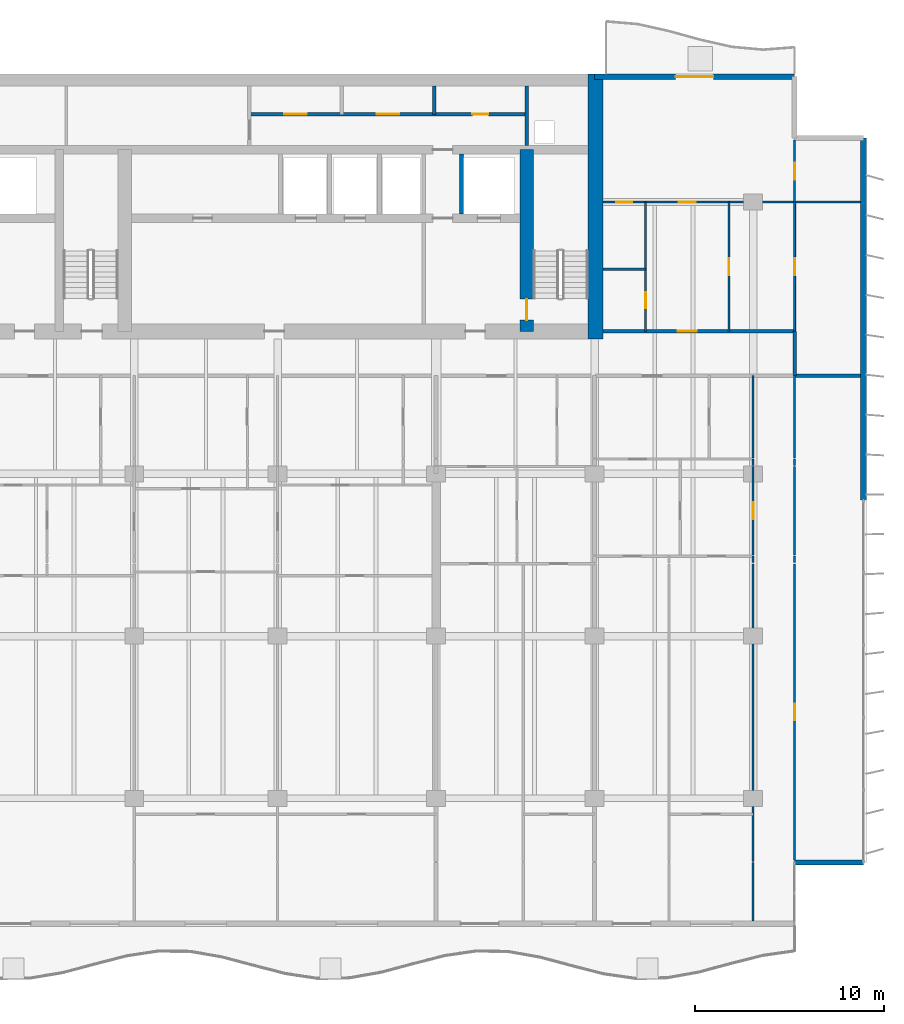
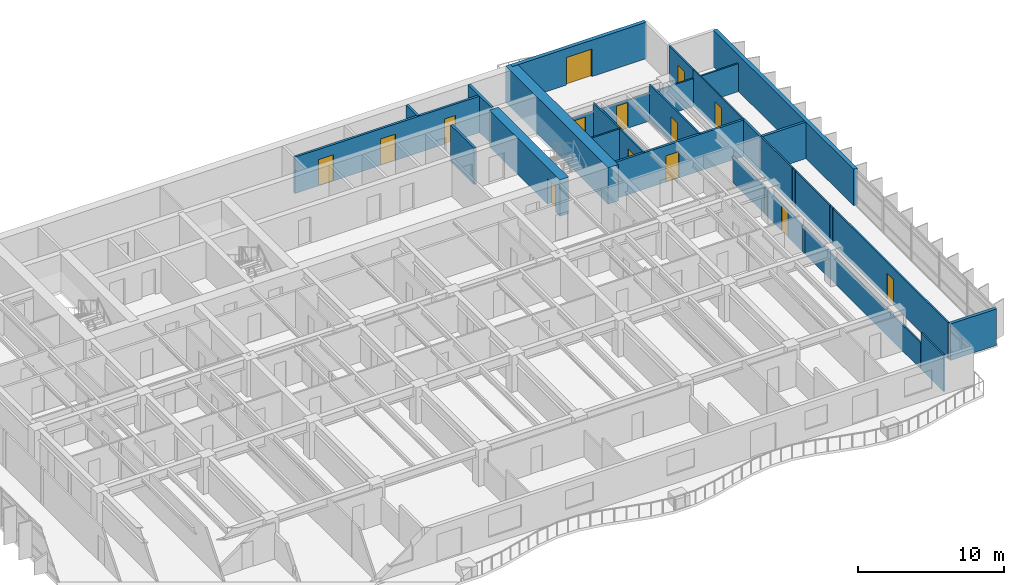
# One storey, part 11 of 16: 29 walls, 14 doors, 14 openings.
"""IFC4 building model written with IfcOpenShell, lengths in metres."""

from ifc_helpers import new_model, si_unit, direction, frame, frame_2d, origin, place, context, subcontext, project, spatial, rectangle, extrude, material, layer, layer_set, type_object, element, fill, save


model = new_model("IFC4")

# Units and contexts
model_context = context("Model", 3, precision=1e-05, world=origin(), true_north=direction((0.0, 1.0)))
body_context = subcontext(model_context, "Body", "Model", "MODEL_VIEW")
ifc_project = project(units=[si_unit("LENGTHUNIT", "METRE"), si_unit("AREAUNIT", "SQUARE_METRE"), si_unit("VOLUMEUNIT", "CUBIC_METRE"), si_unit("PLANEANGLEUNIT", "RADIAN"), si_unit("MASSUNIT", "GRAM", prefix="KILO")], contexts=[model_context])

# Site, building, storey
site_placement = place(None, origin())
site = spatial("IfcSite", under=ifc_project, at=site_placement, CompositionType="ELEMENT")
building_placement = place(site_placement, origin())
building = spatial("IfcBuilding", under=site, at=building_placement, Name="Caelmar Bay Residences", CompositionType="ELEMENT")
storey_placement = place(building_placement, frame((0.0, 0.0, 102.60009765625)))
storey = spatial("IfcBuildingStorey", under=building, at=storey_placement, Name="L27", CompositionType="ELEMENT", Elevation=102.60009765625)

# Wall, opening, door
ifc_material_1 = material(Name="Concrete f'c 55 MPa (8,000 psi)", Category="concrete")
ifc_layer_1 = layer(ifc_material_1, 0.699951171875)
ifc_layer_set_1 = layer_set([ifc_layer_1], Name="Concrete f'c 55 MPa (8,000 psi)")
wall_type_1 = type_object("IfcWallType", Name="SW-COR-700", PredefinedType="SHEAR", material=ifc_layer_set_1)
wall_1_placement = place(storey_placement, frame((55.89990234375, 36.949951171875, 0.0), z_axis=(0.0, 0.0, 1.0), x_axis=(0.0, 1.0, 0.0)))
wall_1 = element("IfcWall", 1, at=wall_1_placement, inside=storey, type_object=wall_type_1, Name="L27 Core Structural Web Wall ST2W", PredefinedType="SHEAR", context=body_context, shape_type="SweptSolid", body=[
    extrude(rectangle(XDim=9.625, YDim=0.699951171875, at=frame_2d((4.8125, 0.0))), origin(), (0.0, 0.0, 1.0), 3.0498046875),
])
opening_1_placement = place(wall_1_placement, frame((0.60009765625, 0.0, 0.0)))
opening_1 = element("IfcOpeningElement", 2, at=opening_1_placement, cuts=wall_1, Name="Opening D-L27-110", PredefinedType="OPENING", context=body_context, shape_type="SweptSolid", body=[
    extrude(rectangle(XDim=1.10009765625, YDim=2.14990234375, at=frame_2d((0.550048828125, 1.074951171875))), frame((0.0, 0.35986328125, 0.0), z_axis=(0.0, -1.0, 0.0), x_axis=(1.0, 0.0, 0.0)), (0.0, 0.0, 1.0), 0.719970703125),
])
ifc_material_2 = material(Name="Fire-rated steel and walnut architectural door assembly", Category="steel")
ifc_layer_2 = layer(ifc_material_2, 0.050048828125)
ifc_layer_set_2 = layer_set([ifc_layer_2], Name="Fire-rated steel and walnut architectural door assembly")
door_type_1 = type_object("IfcDoorType", Name="D-STAIR-1100", OperationType="NOTDEFINED", PredefinedType="DOOR", material=ifc_layer_set_2)
door_1_placement = place(opening_1_placement, origin())
door_1 = element("IfcDoor", 3, at=door_1_placement, inside=storey, type_object=door_type_1, Name="L27 Firefighting Lobby East Door", OperationType="SINGLE_SWING_LEFT", OverallHeight=2.14990234375, OverallWidth=1.10009765625, PredefinedType="DOOR", context=body_context, shape_type="SweptSolid", body=[
    extrude(rectangle(XDim=1.10009765625, YDim=2.14990234375, at=frame_2d((0.550048828125, 1.074951171875))), frame((0.0, 0.02490234375, 0.0), z_axis=(0.0, -1.0, 0.0), x_axis=(1.0, 0.0, 0.0)), (0.0, 0.0, 1.0), 0.050048828125),
])
fill(opening_1, door_1)

# Walls
ifc_material_3 = material(Name="Concrete f'c 70 MPa (10,000 psi)", Category="concrete")
ifc_layer_3 = layer(ifc_material_3, 0.800048828125)
ifc_layer_set_3 = layer_set([ifc_layer_3], Name="Concrete f'c 70 MPa (10,000 psi)")
wall_type_2 = type_object("IfcWallType", Name="SW-COR-800", PredefinedType="SHEAR", material=ifc_layer_set_3)
wall_2_placement = place(storey_placement, frame((59.550048828125, 36.550048828125, 0.0), z_axis=(0.0, 0.0, 1.0), x_axis=(0.0, 1.0, 0.0)))
element("IfcWall", 4, at=wall_2_placement, inside=storey, type_object=wall_type_2, Name="L27 Rear Core East Shear Wall", PredefinedType="SHEAR", context=body_context, shape_type="SweptSolid", body=[
    extrude(rectangle(XDim=14.050048828125, YDim=0.800048828125, at=frame_2d((7.02490234375, 0.0))), origin(), (0.0, 0.0, 1.0), 3.0498046875),
])
ifc_material_4 = material(Name="Double-stud acoustic fire-rated gypsum partition 180 mm")
ifc_layer_4 = layer(ifc_material_4, 0.179931640625)
ifc_layer_set_4 = layer_set([ifc_layer_4], Name="Double-stud acoustic fire-rated gypsum partition 180 mm")
wall_type_3 = type_object("IfcWallType", Name="W-COR-200", PredefinedType="PARTITIONING", material=ifc_layer_set_4)
wall_3_placement = place(storey_placement, frame((51.0, 48.449951171875, 0.0), z_axis=(0.0, 0.0, 1.0), x_axis=(0.0, 1.0, 0.0)))
element("IfcWall", 5, at=wall_3_placement, inside=storey, type_object=wall_type_3, Name="L27 Partition Wall V076", PredefinedType="PARTITIONING", context=body_context, shape_type="SweptSolid", body=[
    extrude(rectangle(XDim=1.505126953125, YDim=0.179931640625, at=frame_2d((0.75244140625, 0.0))), origin(), (0.0, 0.0, 1.0), 3.0498046875),
])
wall_4_placement = place(storey_placement, frame((70.10009765625, 34.60498046875, 0.0), z_axis=(0.0, 0.0, 1.0), x_axis=(0.0, 1.0, 0.0)))
element("IfcWall", 6, at=wall_4_placement, inside=storey, type_object=wall_type_3, Name="L27 Partition Wall V115", PredefinedType="PARTITIONING", context=body_context, shape_type="SweptSolid", body=[
    extrude(rectangle(XDim=2.344970703125, YDim=0.179931640625, at=frame_2d((1.17236328125, 0.0))), origin(), (0.0, 0.0, 1.0), 3.0498046875),
])

# Wall, opening, door
wall_5_placement = place(storey_placement, frame((59.955078125, 36.949951171875, 0.0), z_axis=(0.0, 0.0, 1.0), x_axis=(1.0, 0.0, 0.0)))
wall_5 = element("IfcWall", 7, at=wall_5_placement, inside=storey, type_object=wall_type_3, Name="L27 Partition Wall H143", PredefinedType="PARTITIONING", context=body_context, shape_type="SweptSolid", body=[
    extrude(rectangle(XDim=10.14501953125, YDim=0.179931640625, at=frame_2d((5.072509765625, 0.0))), origin(), (0.0, 0.0, 1.0), 3.0498046875),
])
opening_2_placement = place(wall_5_placement, frame((3.95703125, 0.0, 0.0)))
opening_2 = element("IfcOpeningElement", 8, at=opening_2_placement, cuts=wall_5, Name="Opening D-L27-176", PredefinedType="OPENING", context=body_context, shape_type="SweptSolid", body=[
    extrude(rectangle(XDim=1.0, YDim=2.199951171875, at=frame_2d((0.5, 1.10009765625))), frame((0.0, 0.099853515625, 0.0), z_axis=(0.0, -1.0, 0.0), x_axis=(1.0, 0.0, 0.0)), (0.0, 0.0, 1.0), 0.199951171875),
])
ifc_layer_5 = layer(ifc_material_2, 0.050048828125)
ifc_layer_set_5 = layer_set([ifc_layer_5], Name="Fire-rated steel and walnut architectural door assembly")
door_type_2 = type_object("IfcDoorType", Name="D-UNIT-1000", OperationType="NOTDEFINED", PredefinedType="DOOR", material=ifc_layer_set_5)
door_2_placement = place(opening_2_placement, origin())
door_2 = element("IfcDoor", 9, at=door_2_placement, inside=storey, type_object=door_type_2, Name="L27 Residence EA Kitchen Door", OperationType="SINGLE_SWING_LEFT", OverallHeight=2.199951171875, OverallWidth=1.0, PredefinedType="DOOR", context=body_context, shape_type="SweptSolid", body=[
    extrude(rectangle(XDim=1.0, YDim=2.199951171875, at=frame_2d((0.5, 1.10009765625))), frame((0.0, 0.02490234375, 0.0), z_axis=(0.0, -1.0, 0.0), x_axis=(1.0, 0.0, 0.0)), (0.0, 0.0, 1.0), 0.050048828125),
])
fill(opening_2, door_2)

# Wall, openings, doors
wall_6_placement = place(storey_placement, frame((41.199951171875, 48.449951171875, 0.0), z_axis=(0.0, 0.0, 1.0), x_axis=(1.0, 0.0, 0.0)))
wall_6 = element("IfcWall", 10, at=wall_6_placement, inside=storey, type_object=wall_type_3, Name="L27 Partition Wall H148", PredefinedType="PARTITIONING", context=body_context, shape_type="SweptSolid", body=[
    extrude(rectangle(XDim=14.699951171875, YDim=0.179931640625, at=frame_2d((7.35009765625, 0.0))), origin(), (0.0, 0.0, 1.0), 3.0498046875),
])
opening_3_placement = place(wall_6_placement, frame((1.85009765625, 0.0, 0.0)))
opening_3 = element("IfcOpeningElement", 11, at=opening_3_placement, cuts=wall_6, Name="Opening D-L27-118", PredefinedType="OPENING", context=body_context, shape_type="SweptSolid", body=[
    extrude(rectangle(XDim=1.199951171875, YDim=2.199951171875, at=frame_2d((0.60009765625, 1.10009765625))), frame((0.0, 0.099853515625, 0.0), z_axis=(0.0, -1.0, 0.0), x_axis=(1.0, 0.0, 0.0)), (0.0, 0.0, 1.0), 0.199951171875),
])
opening_4_placement = place(wall_6_placement, frame((6.75, 0.0, 0.0)))
opening_4 = element("IfcOpeningElement", 12, at=opening_4_placement, cuts=wall_6, Name="Opening D-L27-119", PredefinedType="OPENING", context=body_context, shape_type="SweptSolid", body=[
    extrude(rectangle(XDim=1.199951171875, YDim=2.199951171875, at=frame_2d((0.60009765625, 1.10009765625))), frame((0.0, 0.099853515625, 0.0), z_axis=(0.0, -1.0, 0.0), x_axis=(1.0, 0.0, 0.0)), (0.0, 0.0, 1.0), 0.199951171875),
])
opening_5_placement = place(wall_6_placement, frame((11.824951171875, 0.0, 0.0)))
opening_5 = element("IfcOpeningElement", 13, at=opening_5_placement, cuts=wall_6, Name="Opening D-L27-120", PredefinedType="OPENING", context=body_context, shape_type="SweptSolid", body=[
    extrude(rectangle(XDim=0.85009765625, YDim=2.10009765625, at=frame_2d((0.425048828125, 1.050048828125))), frame((0.0, 0.099853515625, 0.0), z_axis=(0.0, -1.0, 0.0), x_axis=(1.0, 0.0, 0.0)), (0.0, 0.0, 1.0), 0.199951171875),
])
ifc_layer_6 = layer(ifc_material_2, 0.050048828125)
ifc_layer_set_6 = layer_set([ifc_layer_6], Name="Fire-rated steel and walnut architectural door assembly")
door_type_3 = type_object("IfcDoorType", Name="D-CORE-850", OperationType="NOTDEFINED", PredefinedType="DOOR", material=ifc_layer_set_6)
door_3_placement = place(opening_5_placement, origin())
door_3 = element("IfcDoor", 14, at=door_3_placement, inside=storey, type_object=door_type_3, Name="L27 Accessible Staff WC Door", OperationType="SINGLE_SWING_LEFT", OverallHeight=2.10009765625, OverallWidth=0.85009765625, PredefinedType="DOOR", context=body_context, shape_type="SweptSolid", body=[
    extrude(rectangle(XDim=0.85009765625, YDim=2.10009765625, at=frame_2d((0.425048828125, 1.050048828125))), frame((0.0, 0.02490234375, 0.0), z_axis=(0.0, -1.0, 0.0), x_axis=(1.0, 0.0, 0.0)), (0.0, 0.0, 1.0), 0.050048828125),
])
fill(opening_5, door_3)
ifc_layer_7 = layer(ifc_material_2, 0.050048828125)
ifc_layer_set_7 = layer_set([ifc_layer_7], Name="Fire-rated steel and walnut architectural door assembly")
door_type_4 = type_object("IfcDoorType", Name="D-PLANT-1200", OperationType="NOTDEFINED", PredefinedType="DOOR", material=ifc_layer_set_7)
door_4_placement = place(opening_3_placement, origin())
door_4 = element("IfcDoor", 15, at=door_4_placement, inside=storey, type_object=door_type_4, Name="L27 Electrical Closet Door", OperationType="SINGLE_SWING_LEFT", OverallHeight=2.199951171875, OverallWidth=1.199951171875, PredefinedType="DOOR", context=body_context, shape_type="SweptSolid", body=[
    extrude(rectangle(XDim=1.199951171875, YDim=2.199951171875, at=frame_2d((0.60009765625, 1.10009765625))), frame((0.0, 0.02490234375, 0.0), z_axis=(0.0, -1.0, 0.0), x_axis=(1.0, 0.0, 0.0)), (0.0, 0.0, 1.0), 0.050048828125),
])
fill(opening_3, door_4)
door_5_placement = place(opening_4_placement, origin())
door_5 = element("IfcDoor", 16, at=door_5_placement, inside=storey, type_object=door_type_4, Name="L27 Housekeeping Linen Closet Door", OperationType="SINGLE_SWING_RIGHT", OverallHeight=2.199951171875, OverallWidth=1.199951171875, PredefinedType="DOOR", context=body_context, shape_type="SweptSolid", body=[
    extrude(rectangle(XDim=1.199951171875, YDim=2.199951171875, at=frame_2d((0.60009765625, 1.10009765625))), frame((0.0, 0.02490234375, 0.0), z_axis=(0.0, -1.0, 0.0), x_axis=(1.0, 0.0, 0.0)), (0.0, 0.0, 1.0), 0.050048828125),
])
fill(opening_4, door_5)

# Walls
ifc_material_5 = material(Name="Precast concrete f'c 40 MPa (6,000 psi)", Category="concrete")
ifc_layer_8 = layer(ifc_material_5, 0.25)
ifc_layer_set_8 = layer_set([ifc_layer_8], Name="Precast concrete f'c 40 MPa (6,000 psi)")
wall_type_4 = type_object("IfcWallType", Name="W-EXT-250", PredefinedType="ELEMENTEDWALL", material=ifc_layer_set_8)
wall_7_placement = place(storey_placement, frame((70.10009765625, 8.800048828125, 0.0), z_axis=(0.0, 0.0, 1.0), x_axis=(1.0, 0.0, 0.0)))
element("IfcWall", 17, at=wall_7_placement, inside=storey, type_object=wall_type_4, Name="L27 SE Notch Return Wall", PredefinedType="ELEMENTEDWALL", context=body_context, shape_type="SweptSolid", body=[
    extrude(rectangle(XDim=3.64990234375, YDim=0.25, at=frame_2d((1.824951171875, 0.0))), origin(), (0.0, 0.0, 1.0), 3.0498046875),
])
ifc_layer_9 = layer(ifc_material_5, 0.300048828125)
ifc_layer_set_9 = layer_set([ifc_layer_9], Name="Precast concrete f'c 40 MPa (6,000 psi)")
wall_type_5 = type_object("IfcWallType", Name="W-EXT-300", PredefinedType="STANDARD", material=ifc_layer_set_9)
wall_8_placement = place(storey_placement, frame((73.75, 47.199951171875, 0.0), z_axis=(0.0, 0.0, 1.0), x_axis=(0.0, -1.0, 0.0)))
element("IfcWall", 18, at=wall_8_placement, inside=storey, type_object=wall_type_5, Name="L27 East Rear Exterior Wall", PredefinedType="STANDARD", context=body_context, shape_type="SweptSolid", body=[
    extrude(rectangle(XDim=19.199951171875, YDim=0.300048828125, at=frame_2d((9.60009765625, 0.0))), origin(), (0.0, 0.0, 1.0), 3.0498046875),
])

# Wall, opening, door
wall_9_placement = place(storey_placement, frame((59.5, 50.449951171875, 0.0), z_axis=(0.0, 0.0, 1.0), x_axis=(1.0, 0.0, 0.0)))
wall_9 = element("IfcWall", 19, at=wall_9_placement, inside=storey, type_object=wall_type_5, Name="L27 North-East Wing Exterior Wall", PredefinedType="STANDARD", context=body_context, shape_type="SweptSolid", body=[
    extrude(rectangle(XDim=10.60009765625, YDim=0.300048828125, at=frame_2d((5.300048828125, 0.0))), origin(), (0.0, 0.0, 1.0), 3.0498046875),
])
opening_6_placement = place(wall_9_placement, frame((4.300048828125, 0.0, 0.0)))
opening_6 = element("IfcOpeningElement", 20, at=opening_6_placement, cuts=wall_9, Name="Opening L27-BDNE", PredefinedType="OPENING", context=body_context, shape_type="SweptSolid", body=[
    extrude(rectangle(XDim=2.0, YDim=2.300048828125, at=frame_2d((1.0, 1.14990234375))), frame((0.0, 0.159912109375, 0.0), z_axis=(0.0, -1.0, 0.0), x_axis=(1.0, 0.0, 0.0)), (0.0, 0.0, 1.0), 0.320068359375),
])
ifc_material_6 = material(Name="Anodised bronze thermally broken sliding glass door", Category="glass")
ifc_layer_10 = layer(ifc_material_6, 0.050048828125)
ifc_layer_set_10 = layer_set([ifc_layer_10], Name="Anodised bronze thermally broken sliding glass door")
door_type_5 = type_object("IfcDoorType", Name="D-BAL-2000", OperationType="DOUBLE_DOOR_SLIDING", PredefinedType="DOOR", material=ifc_layer_set_10)
door_6_placement = place(opening_6_placement, origin())
door_6 = element("IfcDoor", 21, at=door_6_placement, inside=storey, type_object=door_type_5, Name="L27 North-East Balcony Door", OperationType="DOUBLE_DOOR_SLIDING", OverallHeight=2.300048828125, OverallWidth=2.0, PredefinedType="DOOR", context=body_context, shape_type="SweptSolid", body=[
    extrude(rectangle(XDim=2.0, YDim=2.300048828125, at=frame_2d((1.0, 1.14990234375))), frame((0.0, 0.02490234375, 0.0), z_axis=(0.0, -1.0, 0.0), x_axis=(1.0, 0.0, 0.0)), (0.0, 0.0, 1.0), 0.050048828125),
])
fill(opening_6, door_6)

# Walls
ifc_material_7 = material(Name="Fire-rated masonry and gypsum shaftliner assembly 200 mm", Category="masonry")
ifc_layer_11 = layer(ifc_material_7, 0.199951171875)
ifc_layer_set_11 = layer_set([ifc_layer_11], Name="Fire-rated masonry and gypsum shaftliner assembly 200 mm")
wall_type_6 = type_object("IfcWallType", Name="W-FSAE-200", PredefinedType="PARTITIONING", material=ifc_layer_set_11)
wall_10_placement = place(storey_placement, frame((52.449951171875, 43.169921875, 0.0), z_axis=(0.0, 0.0, 1.0), x_axis=(0.0, 1.0, 0.0)))
element("IfcWall", 22, at=wall_10_placement, inside=storey, type_object=wall_type_6, Name="L27 Partition Wall V082", PredefinedType="PARTITIONING", context=body_context, shape_type="SweptSolid", body=[
    extrude(rectangle(XDim=3.18505859375, YDim=0.199951171875, at=frame_2d((1.592529296875, 0.0))), origin(), (0.0, 0.0, 1.0), 3.0498046875),
])
wall_11_placement = place(storey_placement, frame((55.89990234375, 46.794921875, 0.0), z_axis=(0.0, 0.0, 1.0), x_axis=(0.0, 1.0, 0.0)))
element("IfcWall", 23, at=wall_11_placement, inside=storey, type_object=wall_type_6, Name="L27 Partition Wall V087", PredefinedType="PARTITIONING", context=body_context, shape_type="SweptSolid", body=[
    extrude(rectangle(XDim=3.16015625, YDim=0.199951171875, at=frame_2d((1.580078125, 0.0))), origin(), (0.0, 0.0, 1.0), 3.0498046875),
])

# Wall, opening, door
ifc_material_8 = material(Name="Anodised bronze framed acoustic sliding study partition 100 mm")
ifc_layer_12 = layer(ifc_material_8, 0.10009765625)
ifc_layer_set_12 = layer_set([ifc_layer_12], Name="Anodised bronze framed acoustic sliding study partition 100 mm")
wall_type_7 = type_object("IfcWallType", Name="W-MOV-100", PredefinedType="MOVABLE", material=ifc_layer_set_12)
wall_12_placement = place(storey_placement, frame((70.10009765625, 36.955078125, 0.0), z_axis=(0.0, 0.0, 1.0), x_axis=(0.0, 1.0, 0.0)))
wall_12 = element("IfcWall", 24, at=wall_12_placement, inside=storey, type_object=wall_type_7, Name="L27 Partition Wall V116", PredefinedType="MOVABLE", context=body_context, shape_type="SweptSolid", body=[
    extrude(rectangle(XDim=6.844970703125, YDim=0.10009765625, at=frame_2d((3.42236328125, 0.0))), origin(), (0.0, 0.0, 1.0), 3.0498046875),
])
opening_7_placement = place(wall_12_placement, frame((2.972412109375, 0.0, 0.0)))
opening_7 = element("IfcOpeningElement", 25, at=opening_7_placement, cuts=wall_12, Name="Opening D-L27-180", PredefinedType="OPENING", context=body_context, shape_type="SweptSolid", body=[
    extrude(rectangle(XDim=0.89990234375, YDim=2.14990234375, at=frame_2d((0.449951171875, 1.074951171875))), frame((0.0, 0.06005859375, 0.0), z_axis=(0.0, -1.0, 0.0), x_axis=(1.0, 0.0, 0.0)), (0.0, 0.0, 1.0), 0.1201171875),
])
ifc_material_9 = material(Name="Solid walnut timber interior door leaf and frame", Category="wood")
ifc_layer_13 = layer(ifc_material_9, 0.050048828125)
ifc_layer_set_13 = layer_set([ifc_layer_13], Name="Solid walnut timber interior door leaf and frame")
door_type_6 = type_object("IfcDoorType", Name="D-ROOM-900", OperationType="NOTDEFINED", PredefinedType="DOOR", material=ifc_layer_set_13)
door_7_placement = place(opening_7_placement, origin())
door_7 = element("IfcDoor", 26, at=door_7_placement, inside=storey, type_object=door_type_6, Name="L27 Residence EA Sun Study Door", OperationType="SINGLE_SWING_LEFT", OverallHeight=2.14990234375, OverallWidth=0.89990234375, PredefinedType="DOOR", context=body_context, shape_type="SweptSolid", body=[
    extrude(rectangle(XDim=0.89990234375, YDim=2.14990234375, at=frame_2d((0.449951171875, 1.074951171875))), frame((0.0, 0.02490234375, 0.0), z_axis=(0.0, -1.0, 0.0), x_axis=(1.0, 0.0, 0.0)), (0.0, 0.0, 1.0), 0.050048828125),
])
fill(opening_7, door_7)

ifc_material_10 = material(Name="Acoustic metal-stud gypsum partition 120 mm")
ifc_layer_14 = layer(ifc_material_10, 0.1201171875)
ifc_layer_set_14 = layer_set([ifc_layer_14], Name="Acoustic metal-stud gypsum partition 120 mm")
wall_type_8 = type_object("IfcWallType", Name="W-PRT-120", PredefinedType="PARTITIONING", material=ifc_layer_set_14)
wall_13_placement = place(storey_placement, frame((62.199951171875, 36.949951171875, 0.0), z_axis=(0.0, 0.0, 1.0), x_axis=(0.0, 1.0, 0.0)))
wall_13 = element("IfcWall", 27, at=wall_13_placement, inside=storey, type_object=wall_type_8, Name="L27 Partition Wall V096", PredefinedType="PARTITIONING", context=body_context, shape_type="SweptSolid", body=[
    extrude(rectangle(XDim=6.85009765625, YDim=0.1201171875, at=frame_2d((3.425048828125, 0.0))), origin(), (0.0, 0.0, 1.0), 3.0498046875),
])
opening_8_placement = place(wall_13_placement, frame((1.218994140625, 0.0, 0.0)))
opening_8 = element("IfcOpeningElement", 28, at=opening_8_placement, cuts=wall_13, Name="Opening D-L27-178", PredefinedType="OPENING", context=body_context, shape_type="SweptSolid", body=[
    extrude(rectangle(XDim=0.85009765625, YDim=2.10009765625, at=frame_2d((0.425048828125, 1.050048828125))), frame((0.0, 0.070068359375, 0.0), z_axis=(0.0, -1.0, 0.0), x_axis=(1.0, 0.0, 0.0)), (0.0, 0.0, 1.0), 0.14013671875),
])
ifc_layer_15 = layer(ifc_material_9, 0.050048828125)
ifc_layer_set_15 = layer_set([ifc_layer_15], Name="Solid walnut timber interior door leaf and frame")
door_type_7 = type_object("IfcDoorType", Name="D-BATH-850", OperationType="NOTDEFINED", PredefinedType="DOOR", material=ifc_layer_set_15)
door_8_placement = place(opening_8_placement, origin())
door_8 = element("IfcDoor", 29, at=door_8_placement, inside=storey, type_object=door_type_7, Name="L27 Residence EA Walk-In Closet Door", OperationType="SINGLE_SWING_LEFT", OverallHeight=2.10009765625, OverallWidth=0.85009765625, PredefinedType="DOOR", context=body_context, shape_type="SweptSolid", body=[
    extrude(rectangle(XDim=0.85009765625, YDim=2.10009765625, at=frame_2d((0.425048828125, 1.050048828125))), frame((0.0, 0.02490234375, 0.0), z_axis=(0.0, -1.0, 0.0), x_axis=(1.0, 0.0, 0.0)), (0.0, 0.0, 1.0), 0.050048828125),
])
fill(opening_8, door_8)

wall_14_placement = place(storey_placement, frame((66.6240234375, 36.949951171875, 0.0), z_axis=(0.0, 0.0, 1.0), x_axis=(0.0, 1.0, 0.0)))
wall_14 = element("IfcWall", 30, at=wall_14_placement, inside=storey, type_object=wall_type_8, Name="L27 Partition Wall V103", PredefinedType="PARTITIONING", context=body_context, shape_type="SweptSolid", body=[
    extrude(rectangle(XDim=6.85009765625, YDim=0.1201171875, at=frame_2d((3.425048828125, 0.0))), origin(), (0.0, 0.0, 1.0), 3.0498046875),
])
opening_9_placement = place(wall_14_placement, frame((2.97509765625, 0.0, 0.0)))
opening_9 = element("IfcOpeningElement", 31, at=opening_9_placement, cuts=wall_14, Name="Opening D-L27-175", PredefinedType="OPENING", context=body_context, shape_type="SweptSolid", body=[
    extrude(rectangle(XDim=0.89990234375, YDim=2.14990234375, at=frame_2d((0.449951171875, 1.074951171875))), frame((0.0, 0.070068359375, 0.0), z_axis=(0.0, -1.0, 0.0), x_axis=(1.0, 0.0, 0.0)), (0.0, 0.0, 1.0), 0.14013671875),
])
door_9_placement = place(opening_9_placement, origin())
door_9 = element("IfcDoor", 32, at=door_9_placement, inside=storey, type_object=door_type_6, Name="L27 Residence EA Dining Room Door", OperationType="SINGLE_SWING_RIGHT", OverallHeight=2.14990234375, OverallWidth=0.89990234375, PredefinedType="DOOR", context=body_context, shape_type="SweptSolid", body=[
    extrude(rectangle(XDim=0.89990234375, YDim=2.14990234375, at=frame_2d((0.449951171875, 1.074951171875))), frame((0.0, 0.02490234375, 0.0), z_axis=(0.0, -1.0, 0.0), x_axis=(1.0, 0.0, 0.0)), (0.0, 0.0, 1.0), 0.050048828125),
])
fill(opening_9, door_9)

# Walls
wall_15_placement = place(storey_placement, frame((67.89990234375, 5.695068359375, 0.0), z_axis=(0.0, 0.0, 1.0), x_axis=(0.0, 1.0, 0.0)))
element("IfcWall", 33, at=wall_15_placement, inside=storey, type_object=wall_type_8, Name="L27 Partition Wall V104", PredefinedType="PARTITIONING", context=body_context, shape_type="SweptSolid", body=[
    extrude(rectangle(XDim=3.10498046875, YDim=0.1201171875, at=frame_2d((1.552490234375, 0.0))), origin(), (0.0, 0.0, 1.0), 3.0498046875),
])
wall_16_placement = place(storey_placement, frame((67.89990234375, 8.840087890625, 0.0), z_axis=(0.0, 0.0, 1.0), x_axis=(0.0, 1.0, 0.0)))
element("IfcWall", 34, at=wall_16_placement, inside=storey, type_object=wall_type_8, Name="L27 Partition Wall V105", PredefinedType="PARTITIONING", context=body_context, shape_type="SweptSolid", body=[
    extrude(rectangle(XDim=15.789794921875, YDim=0.1201171875, at=frame_2d((7.89501953125, 0.0))), origin(), (0.0, 0.0, 1.0), 2.173828125),
])
wall_17_placement = place(storey_placement, frame((67.89990234375, 24.68994140625, 0.0), z_axis=(0.0, 0.0, 1.0), x_axis=(0.0, 1.0, 0.0)))
element("IfcWall", 35, at=wall_17_placement, inside=storey, type_object=wall_type_8, Name="L27 Partition Wall V106", PredefinedType="PARTITIONING", context=body_context, shape_type="SweptSolid", body=[
    extrude(rectangle(XDim=0.340087890625, YDim=0.1201171875, at=frame_2d((0.169921875, 0.0))), origin(), (0.0, 0.0, 1.0), 2.173828125),
])

# Wall, opening, door
wall_18_placement = place(storey_placement, frame((67.89990234375, 25.090087890625, 0.0), z_axis=(0.0, 0.0, 1.0), x_axis=(0.0, 1.0, 0.0)))
wall_18 = element("IfcWall", 36, at=wall_18_placement, inside=storey, type_object=wall_type_8, Name="L27 Partition Wall V107", PredefinedType="PARTITIONING", context=body_context, shape_type="SweptSolid", body=[
    extrude(rectangle(XDim=4.68994140625, YDim=0.1201171875, at=frame_2d((2.344970703125, 0.0))), origin(), (0.0, 0.0, 1.0), 2.173828125),
])
opening_10_placement = place(wall_18_placement, frame((1.89501953125, 0.0, 0.0)))
opening_10 = element("IfcOpeningElement", 37, at=opening_10_placement, cuts=wall_18, Name="Opening D-L27-165", PredefinedType="OPENING", context=body_context, shape_type="SweptSolid", body=[
    extrude(rectangle(XDim=0.89990234375, YDim=2.1240234375, at=frame_2d((0.449951171875, 1.06201171875))), frame((0.0, 0.070068359375, 0.0), z_axis=(0.0, -1.0, 0.0), x_axis=(1.0, 0.0, 0.0)), (0.0, 0.0, 1.0), 0.14013671875),
])
door_10_placement = place(opening_10_placement, origin())
door_10 = element("IfcDoor", 38, at=door_10_placement, inside=storey, type_object=door_type_6, Name="L27 Residence 05 East Apartment Hall Door", OperationType="SINGLE_SWING_RIGHT", OverallHeight=2.1240234375, OverallWidth=0.89990234375, PredefinedType="DOOR", context=body_context, shape_type="SweptSolid", body=[
    extrude(rectangle(XDim=0.89990234375, YDim=2.1240234375, at=frame_2d((0.449951171875, 1.06201171875))), frame((0.0, 0.02490234375, 0.0), z_axis=(0.0, -1.0, 0.0), x_axis=(1.0, 0.0, 0.0)), (0.0, 0.0, 1.0), 0.050048828125),
])
fill(opening_10, door_10)

# Walls
wall_19_placement = place(storey_placement, frame((67.89990234375, 29.840087890625, 0.0), z_axis=(0.0, 0.0, 1.0), x_axis=(0.0, 1.0, 0.0)))
element("IfcWall", 39, at=wall_19_placement, inside=storey, type_object=wall_type_8, Name="L27 Partition Wall V108", PredefinedType="PARTITIONING", context=body_context, shape_type="SweptSolid", body=[
    extrude(rectangle(XDim=0.33984375, YDim=0.1201171875, at=frame_2d((0.169921875, 0.0))), origin(), (0.0, 0.0, 1.0), 2.173828125),
])
wall_20_placement = place(storey_placement, frame((67.89990234375, 30.239990234375, 0.0), z_axis=(0.0, 0.0, 1.0), x_axis=(0.0, 1.0, 0.0)))
element("IfcWall", 40, at=wall_20_placement, inside=storey, type_object=wall_type_8, Name="L27 Partition Wall V109", PredefinedType="PARTITIONING", context=body_context, shape_type="SweptSolid", body=[
    extrude(rectangle(XDim=4.360107421875, YDim=0.1201171875, at=frame_2d((2.18017578125, 0.0))), origin(), (0.0, 0.0, 1.0), 2.173828125),
])

# Wall, opening, door
wall_21_placement = place(storey_placement, frame((70.10009765625, 8.919921875, 0.0), z_axis=(0.0, 0.0, 1.0), x_axis=(0.0, 1.0, 0.0)))
wall_21 = element("IfcWall", 41, at=wall_21_placement, inside=storey, type_object=wall_type_8, Name="L27 Partition Wall V110", PredefinedType="PARTITIONING", context=body_context, shape_type="SweptSolid", body=[
    extrude(rectangle(XDim=15.7099609375, YDim=0.1201171875, at=frame_2d((7.85498046875, 0.0))), origin(), (0.0, 0.0, 1.0), 3.0498046875),
])
opening_11_placement = place(wall_21_placement, frame((7.405029296875, 0.0, 0.0)))
opening_11 = element("IfcOpeningElement", 42, at=opening_11_placement, cuts=wall_21, Name="Opening D-L27-167", PredefinedType="OPENING", context=body_context, shape_type="SweptSolid", body=[
    extrude(rectangle(XDim=0.89990234375, YDim=2.14990234375, at=frame_2d((0.449951171875, 1.074951171875))), frame((0.0, 0.070068359375, 0.0), z_axis=(0.0, -1.0, 0.0), x_axis=(1.0, 0.0, 0.0)), (0.0, 0.0, 1.0), 0.14013671875),
])
door_11_placement = place(opening_11_placement, origin())
door_11 = element("IfcDoor", 43, at=door_11_placement, inside=storey, type_object=door_type_6, Name="L27 Residence 05 Penthouse East Salon Door", OperationType="SINGLE_SWING_RIGHT", OverallHeight=2.14990234375, OverallWidth=0.89990234375, PredefinedType="DOOR", context=body_context, shape_type="SweptSolid", body=[
    extrude(rectangle(XDim=0.89990234375, YDim=2.14990234375, at=frame_2d((0.449951171875, 1.074951171875))), frame((0.0, 0.02490234375, 0.0), z_axis=(0.0, -1.0, 0.0), x_axis=(1.0, 0.0, 0.0)), (0.0, 0.0, 1.0), 0.050048828125),
])
fill(opening_11, door_11)

# Walls
wall_22_placement = place(storey_placement, frame((70.10009765625, 24.68994140625, 0.0), z_axis=(0.0, 0.0, 1.0), x_axis=(0.0, 1.0, 0.0)))
element("IfcWall", 44, at=wall_22_placement, inside=storey, type_object=wall_type_8, Name="L27 Partition Wall V111", PredefinedType="PARTITIONING", context=body_context, shape_type="SweptSolid", body=[
    extrude(rectangle(XDim=0.340087890625, YDim=0.1201171875, at=frame_2d((0.169921875, 0.0))), origin(), (0.0, 0.0, 1.0), 3.0498046875),
])
wall_23_placement = place(storey_placement, frame((70.10009765625, 25.090087890625, 0.0), z_axis=(0.0, 0.0, 1.0), x_axis=(0.0, 1.0, 0.0)))
element("IfcWall", 45, at=wall_23_placement, inside=storey, type_object=wall_type_8, Name="L27 Partition Wall V112", PredefinedType="PARTITIONING", context=body_context, shape_type="SweptSolid", body=[
    extrude(rectangle(XDim=4.68994140625, YDim=0.1201171875, at=frame_2d((2.344970703125, 0.0))), origin(), (0.0, 0.0, 1.0), 3.0498046875),
])
wall_24_placement = place(storey_placement, frame((70.10009765625, 29.840087890625, 0.0), z_axis=(0.0, 0.0, 1.0), x_axis=(0.0, 1.0, 0.0)))
element("IfcWall", 46, at=wall_24_placement, inside=storey, type_object=wall_type_8, Name="L27 Partition Wall V113", PredefinedType="PARTITIONING", context=body_context, shape_type="SweptSolid", body=[
    extrude(rectangle(XDim=0.33984375, YDim=0.1201171875, at=frame_2d((0.169921875, 0.0))), origin(), (0.0, 0.0, 1.0), 3.0498046875),
])
wall_25_placement = place(storey_placement, frame((70.10009765625, 30.239990234375, 0.0), z_axis=(0.0, 0.0, 1.0), x_axis=(0.0, 1.0, 0.0)))
element("IfcWall", 47, at=wall_25_placement, inside=storey, type_object=wall_type_8, Name="L27 Partition Wall V114", PredefinedType="PARTITIONING", context=body_context, shape_type="SweptSolid", body=[
    extrude(rectangle(XDim=4.360107421875, YDim=0.1201171875, at=frame_2d((2.18017578125, 0.0))), origin(), (0.0, 0.0, 1.0), 3.0498046875),
])

# Wall, opening, door
wall_26_placement = place(storey_placement, frame((70.10009765625, 43.804931640625, 0.0), z_axis=(0.0, 0.0, 1.0), x_axis=(0.0, 1.0, 0.0)))
wall_26 = element("IfcWall", 48, at=wall_26_placement, inside=storey, type_object=wall_type_8, Name="L27 Partition Wall V117", PredefinedType="PARTITIONING", context=body_context, shape_type="SweptSolid", body=[
    extrude(rectangle(XDim=3.275146484375, YDim=0.1201171875, at=frame_2d((1.6376953125, 0.0))), origin(), (0.0, 0.0, 1.0), 3.0498046875),
])
opening_12_placement = place(wall_26_placement, frame((1.1875, 0.0, 0.0)))
opening_12 = element("IfcOpeningElement", 49, at=opening_12_placement, cuts=wall_26, Name="Opening D-L27-181", PredefinedType="OPENING", context=body_context, shape_type="SweptSolid", body=[
    extrude(rectangle(XDim=0.89990234375, YDim=2.14990234375, at=frame_2d((0.449951171875, 1.074951171875))), frame((0.0, 0.070068359375, 0.0), z_axis=(0.0, -1.0, 0.0), x_axis=(1.0, 0.0, 0.0)), (0.0, 0.0, 1.0), 0.14013671875),
])
door_12_placement = place(opening_12_placement, origin())
door_12 = element("IfcDoor", 50, at=door_12_placement, inside=storey, type_object=door_type_6, Name="L27 Residence EA North Sitting Alcove Door", OperationType="SINGLE_SWING_RIGHT", OverallHeight=2.14990234375, OverallWidth=0.89990234375, PredefinedType="DOOR", context=body_context, shape_type="SweptSolid", body=[
    extrude(rectangle(XDim=0.89990234375, YDim=2.14990234375, at=frame_2d((0.449951171875, 1.074951171875))), frame((0.0, 0.02490234375, 0.0), z_axis=(0.0, -1.0, 0.0), x_axis=(1.0, 0.0, 0.0)), (0.0, 0.0, 1.0), 0.050048828125),
])
fill(opening_12, door_12)

# Wall
wall_27_placement = place(storey_placement, frame((59.945068359375, 40.238037109375, 0.0), z_axis=(0.0, 0.0, 1.0), x_axis=(1.0, 0.0, 0.0)))
element("IfcWall", 51, at=wall_27_placement, inside=storey, type_object=wall_type_8, Name="L27 Partition Wall H145", PredefinedType="PARTITIONING", context=body_context, shape_type="SweptSolid", body=[
    extrude(rectangle(XDim=2.2548828125, YDim=0.1201171875, at=frame_2d((1.12744140625, 0.0))), origin(), (0.0, 0.0, 1.0), 3.0498046875),
])

# Wall, openings, doors
wall_28_placement = place(storey_placement, frame((59.945068359375, 43.800048828125, 0.0), z_axis=(0.0, 0.0, 1.0), x_axis=(1.0, 0.0, 0.0)))
wall_28 = element("IfcWall", 52, at=wall_28_placement, inside=storey, type_object=wall_type_8, Name="L27 Partition Wall H147", PredefinedType="PARTITIONING", context=body_context, shape_type="SweptSolid", body=[
    extrude(rectangle(XDim=13.659912109375, YDim=0.1201171875, at=frame_2d((6.830078125, 0.0))), origin(), (0.0, 0.0, 1.0), 2.3388671875),
])
opening_13_placement = place(wall_28_placement, frame((4.01708984375, 0.0, 0.0)))
opening_13 = element("IfcOpeningElement", 53, at=opening_13_placement, cuts=wall_28, Name="Opening D-L27-177", PredefinedType="OPENING", context=body_context, shape_type="SweptSolid", body=[
    extrude(rectangle(XDim=0.89990234375, YDim=2.14990234375, at=frame_2d((0.449951171875, 1.074951171875))), frame((0.0, 0.070068359375, 0.0), z_axis=(0.0, -1.0, 0.0), x_axis=(1.0, 0.0, 0.0)), (0.0, 0.0, 1.0), 0.14013671875),
])
opening_14_placement = place(wall_28_placement, frame((0.702392578125, 0.0, 0.0)))
opening_14 = element("IfcOpeningElement", 54, at=opening_14_placement, cuts=wall_28, Name="Opening D-L27-179", PredefinedType="OPENING", context=body_context, shape_type="SweptSolid", body=[
    extrude(rectangle(XDim=0.85009765625, YDim=2.10009765625, at=frame_2d((0.425048828125, 1.050048828125))), frame((0.0, 0.070068359375, 0.0), z_axis=(0.0, -1.0, 0.0), x_axis=(1.0, 0.0, 0.0)), (0.0, 0.0, 1.0), 0.14013671875),
])
door_13_placement = place(opening_14_placement, origin())
door_13 = element("IfcDoor", 55, at=door_13_placement, inside=storey, type_object=door_type_7, Name="L27 Residence EA Bathroom Door", OperationType="SINGLE_SWING_RIGHT", OverallHeight=2.10009765625, OverallWidth=0.85009765625, PredefinedType="DOOR", context=body_context, shape_type="SweptSolid", body=[
    extrude(rectangle(XDim=0.85009765625, YDim=2.10009765625, at=frame_2d((0.425048828125, 1.050048828125))), frame((0.0, 0.02490234375, 0.0), z_axis=(0.0, -1.0, 0.0), x_axis=(1.0, 0.0, 0.0)), (0.0, 0.0, 1.0), 0.050048828125),
])
fill(opening_14, door_13)
door_14_placement = place(opening_13_placement, origin())
door_14 = element("IfcDoor", 56, at=door_14_placement, inside=storey, type_object=door_type_6, Name="L27 Residence EA Studio Living and Sleeping Room Door", OperationType="SINGLE_SWING_RIGHT", OverallHeight=2.14990234375, OverallWidth=0.89990234375, PredefinedType="DOOR", context=body_context, shape_type="SweptSolid", body=[
    extrude(rectangle(XDim=0.89990234375, YDim=2.14990234375, at=frame_2d((0.449951171875, 1.074951171875))), frame((0.0, 0.02490234375, 0.0), z_axis=(0.0, -1.0, 0.0), x_axis=(1.0, 0.0, 0.0)), (0.0, 0.0, 1.0), 0.050048828125),
])
fill(opening_13, door_14)

# Wall
ifc_material_11 = material(Name="Acoustic twin-stud fire-rated inter-tenancy partition 200 mm")
ifc_layer_16 = layer(ifc_material_11, 0.199951171875)
ifc_layer_set_16 = layer_set([ifc_layer_16], Name="Acoustic twin-stud fire-rated inter-tenancy partition 200 mm")
wall_type_9 = type_object("IfcWallType", Name="W-PTY-200", PredefinedType="PARTITIONING", material=ifc_layer_set_16)
wall_29_placement = place(storey_placement, frame((70.10498046875, 34.60009765625, 0.0), z_axis=(0.0, 0.0, 1.0), x_axis=(1.0, 0.0, 0.0)))
element("IfcWall", 57, at=wall_29_placement, inside=storey, type_object=wall_type_9, Name="L27 Partition Wall H141", PredefinedType="PARTITIONING", context=body_context, shape_type="SweptSolid", body=[
    extrude(rectangle(XDim=3.5, YDim=0.199951171875, at=frame_2d((1.75, 0.0))), origin(), (0.0, 0.0, 1.0), 3.0498046875),
])

save(model, "model.ifc")
